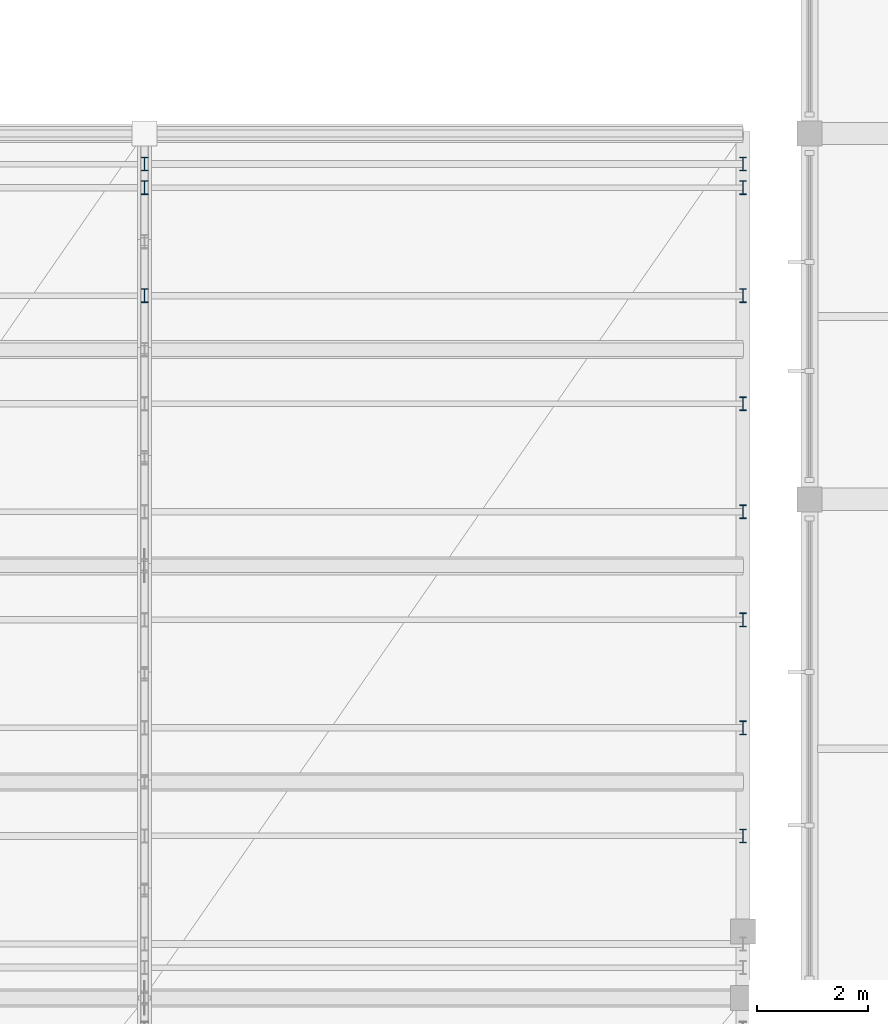
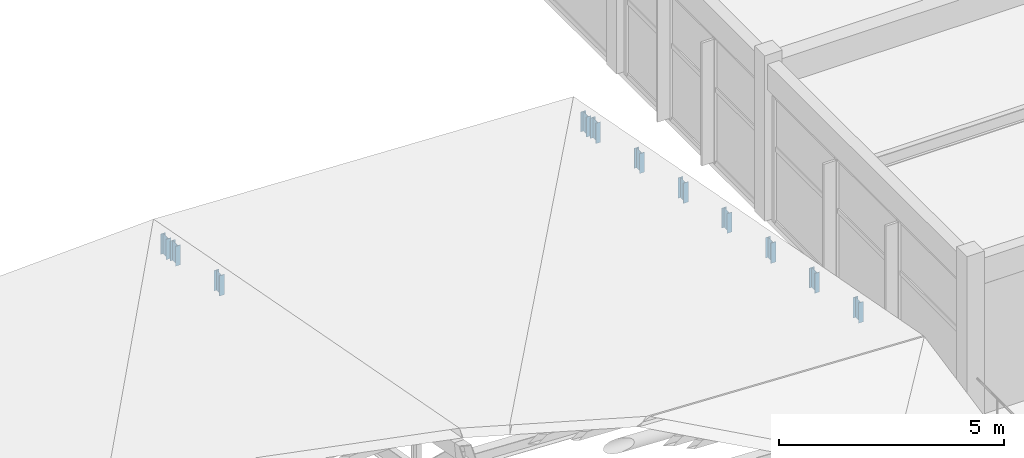
# One storey, part 55 of 89: 11 members.
"""IFC4 building model written with IfcOpenShell, lengths in metres."""

from ifc_helpers import new_model, si_unit, direction, frame, origin, origin_2d, place, context, subcontext, project, spatial, i_section, extrude, material, material_profile, profile_set, type_object, element, save


model = new_model("IFC4")

# Units and contexts
model_context = context("Model", 3, precision=1e-05, world=origin(), true_north=direction((0.0, 1.0)))
body_context = subcontext(model_context, "Body", "Model", "MODEL_VIEW")
ifc_project = project(units=[si_unit("LENGTHUNIT", "METRE"), si_unit("AREAUNIT", "SQUARE_METRE"), si_unit("VOLUMEUNIT", "CUBIC_METRE"), si_unit("PLANEANGLEUNIT", "RADIAN"), si_unit("MASSUNIT", "GRAM", prefix="KILO")], contexts=[model_context])

# Site, building, storey
site_placement = place(None, origin())
site = spatial("IfcSite", under=ifc_project, at=site_placement, CompositionType="ELEMENT")
building_placement = place(site_placement, origin())
building = spatial("IfcBuilding", under=site, at=building_placement, Name="Suirenkawa Promenade Aquatics Centre", CompositionType="ELEMENT")
storey_placement = place(building_placement, frame((0.0, 0.0, 9.60009765625)))
storey = spatial("IfcBuildingStorey", under=building, at=storey_placement, Name="L02", CompositionType="ELEMENT", Elevation=9.60009765625)

# Members
ifc_material = material(Name="Steel IS 2062 E350 (Grade 350)", Category="steel")
ifc_material_profile = material_profile(ifc_material, i_section(OverallWidth=0.125, OverallDepth=0.25, WebThickness=0.007080078125, FlangeThickness=0.012939453125, at=origin_2d()), Name="ISMB 250", Category="steel")
ifc_profile_set = profile_set([ifc_material_profile], Name="Steel IS 2062 E350 (Grade 350)")
member_type = type_object("IfcMemberType", Name="MT-WEB-CHS168", PredefinedType="BRACE", material=ifc_profile_set)
member_1_placement = place(storey_placement, frame((144.0, 25.875, -0.177001953125), z_axis=(0.0, 0.0, 1.0), x_axis=(1.0, 0.0, 0.0)))
element("IfcMember", 1, at=member_1_placement, inside=storey, type_object=member_type, Name="ROOF TRUSS Purlin cleat post TD-03 MB-2860", PredefinedType="BRACE", context=body_context, shape_type="SweptSolid", body=[
    extrude(i_section(OverallWidth=0.125, OverallDepth=0.25, WebThickness=0.007080078125, FlangeThickness=0.012939453125, at=origin_2d()), origin(), (0.0, 0.0, 1.0), 0.552978515625),
])
member_2_placement = place(storey_placement, frame((144.0, 27.824951171875, -0.546142578125), z_axis=(0.0, 0.0, 1.0), x_axis=(1.0, 0.0, 0.0)))
element("IfcMember", 2, at=member_2_placement, inside=storey, type_object=member_type, Name="ROOF TRUSS Purlin cleat post TD-03 MB-2862", PredefinedType="BRACE", context=body_context, shape_type="SweptSolid", body=[
    extrude(i_section(OverallWidth=0.125, OverallDepth=0.25, WebThickness=0.007080078125, FlangeThickness=0.012939453125, at=origin_2d()), origin(), (0.0, 0.0, 1.0), 0.541015625),
])
member_3_placement = place(storey_placement, frame((144.0, 28.25, -0.6259765625), z_axis=(0.0, 0.0, 1.0), x_axis=(1.0, 0.0, 0.0)))
element("IfcMember", 3, at=member_3_placement, inside=storey, type_object=member_type, Name="ROOF TRUSS Purlin cleat post TD-03 MB-2864", PredefinedType="BRACE", context=body_context, shape_type="SweptSolid", body=[
    extrude(i_section(OverallWidth=0.125, OverallDepth=0.25, WebThickness=0.007080078125, FlangeThickness=0.012939453125, at=origin_2d()), origin(), (0.0, 0.0, 1.0), 0.552978515625),
])
member_4_placement = place(storey_placement, frame((154.800048828125, 16.125, 1.216796875), z_axis=(0.0, 0.0, 1.0), x_axis=(1.0, 0.0, 0.0)))
element("IfcMember", 4, at=member_4_placement, inside=storey, type_object=member_type, Name="ROOF TRUSS Purlin cleat post TD-03 MB-2890", PredefinedType="BRACE", context=body_context, shape_type="SweptSolid", body=[
    extrude(i_section(OverallWidth=0.125, OverallDepth=0.25, WebThickness=0.007080078125, FlangeThickness=0.012939453125, at=origin_2d()), origin(), (0.0, 0.0, 1.0), 0.55322265625),
])
member_5_placement = place(storey_placement, frame((154.800048828125, 18.074951171875, 0.847900390625), z_axis=(0.0, 0.0, 1.0), x_axis=(1.0, 0.0, 0.0)))
element("IfcMember", 5, at=member_5_placement, inside=storey, type_object=member_type, Name="ROOF TRUSS Purlin cleat post TD-03 MB-2892", PredefinedType="BRACE", context=body_context, shape_type="SweptSolid", body=[
    extrude(i_section(OverallWidth=0.125, OverallDepth=0.25, WebThickness=0.007080078125, FlangeThickness=0.012939453125, at=origin_2d()), origin(), (0.0, 0.0, 1.0), 0.541015625),
])
member_6_placement = place(storey_placement, frame((154.800048828125, 20.02490234375, 0.47900390625), z_axis=(0.0, 0.0, 1.0), x_axis=(1.0, 0.0, 0.0)))
element("IfcMember", 6, at=member_6_placement, inside=storey, type_object=member_type, Name="ROOF TRUSS Purlin cleat post TD-03 MB-2894", PredefinedType="BRACE", context=body_context, shape_type="SweptSolid", body=[
    extrude(i_section(OverallWidth=0.125, OverallDepth=0.25, WebThickness=0.007080078125, FlangeThickness=0.012939453125, at=origin_2d()), origin(), (0.0, 0.0, 1.0), 0.552978515625),
])
member_7_placement = place(storey_placement, frame((154.800048828125, 21.97509765625, 0.11083984375), z_axis=(0.0, 0.0, 1.0), x_axis=(1.0, 0.0, 0.0)))
element("IfcMember", 7, at=member_7_placement, inside=storey, type_object=member_type, Name="ROOF TRUSS Purlin cleat post TD-03 MB-2896", PredefinedType="BRACE", context=body_context, shape_type="SweptSolid", body=[
    extrude(i_section(OverallWidth=0.125, OverallDepth=0.25, WebThickness=0.007080078125, FlangeThickness=0.012939453125, at=origin_2d()), origin(), (0.0, 0.0, 1.0), 0.541015625),
])
member_8_placement = place(storey_placement, frame((154.800048828125, 23.925048828125, -0.258056640625), z_axis=(0.0, 0.0, 1.0), x_axis=(1.0, 0.0, 0.0)))
element("IfcMember", 8, at=member_8_placement, inside=storey, type_object=member_type, Name="ROOF TRUSS Purlin cleat post TD-03 MB-2898", PredefinedType="BRACE", context=body_context, shape_type="SweptSolid", body=[
    extrude(i_section(OverallWidth=0.125, OverallDepth=0.25, WebThickness=0.007080078125, FlangeThickness=0.012939453125, at=origin_2d()), origin(), (0.0, 0.0, 1.0), 0.552978515625),
])
member_9_placement = place(storey_placement, frame((154.800048828125, 25.875, -0.627197265625), z_axis=(0.0, 0.0, 1.0), x_axis=(1.0, 0.0, 0.0)))
element("IfcMember", 9, at=member_9_placement, inside=storey, type_object=member_type, Name="ROOF TRUSS Purlin cleat post TD-03 MB-2900", PredefinedType="BRACE", context=body_context, shape_type="SweptSolid", body=[
    extrude(i_section(OverallWidth=0.125, OverallDepth=0.25, WebThickness=0.007080078125, FlangeThickness=0.012939453125, at=origin_2d()), origin(), (0.0, 0.0, 1.0), 0.541015625),
])
member_10_placement = place(storey_placement, frame((154.800048828125, 27.824951171875, -0.99609375), z_axis=(0.0, 0.0, 1.0), x_axis=(1.0, 0.0, 0.0)))
element("IfcMember", 10, at=member_10_placement, inside=storey, type_object=member_type, Name="ROOF TRUSS Purlin cleat post TD-03 MB-2902", PredefinedType="BRACE", context=body_context, shape_type="SweptSolid", body=[
    extrude(i_section(OverallWidth=0.125, OverallDepth=0.25, WebThickness=0.007080078125, FlangeThickness=0.012939453125, at=origin_2d()), origin(), (0.0, 0.0, 1.0), 0.552978515625),
])
member_11_placement = place(storey_placement, frame((154.800048828125, 28.25, -1.076171875), z_axis=(0.0, 0.0, 1.0), x_axis=(1.0, 0.0, 0.0)))
element("IfcMember", 11, at=member_11_placement, inside=storey, type_object=member_type, Name="ROOF TRUSS Purlin cleat post TD-03 MB-2904", PredefinedType="BRACE", context=body_context, shape_type="SweptSolid", body=[
    extrude(i_section(OverallWidth=0.125, OverallDepth=0.25, WebThickness=0.007080078125, FlangeThickness=0.012939453125, at=origin_2d()), origin(), (0.0, 0.0, 1.0), 0.541015625),
])

save(model, "model.ifc")
